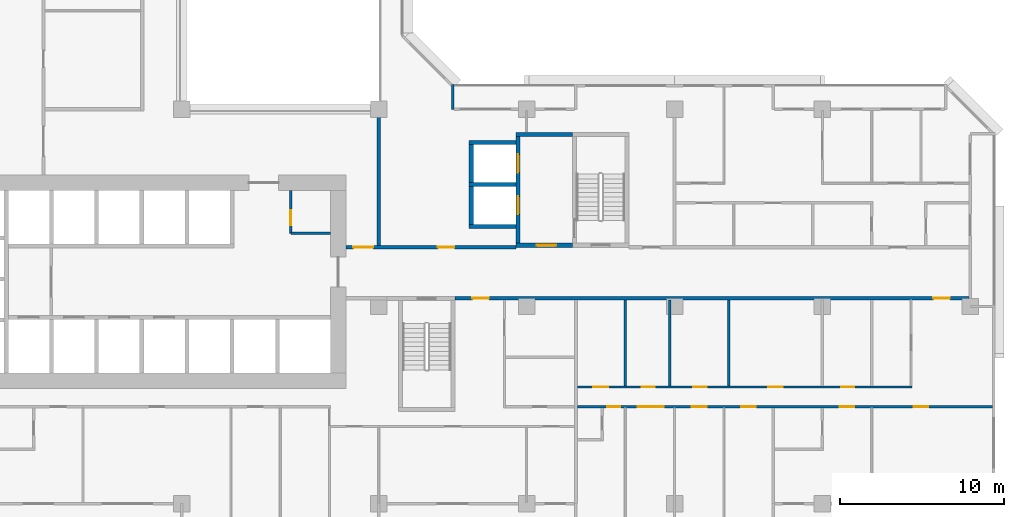
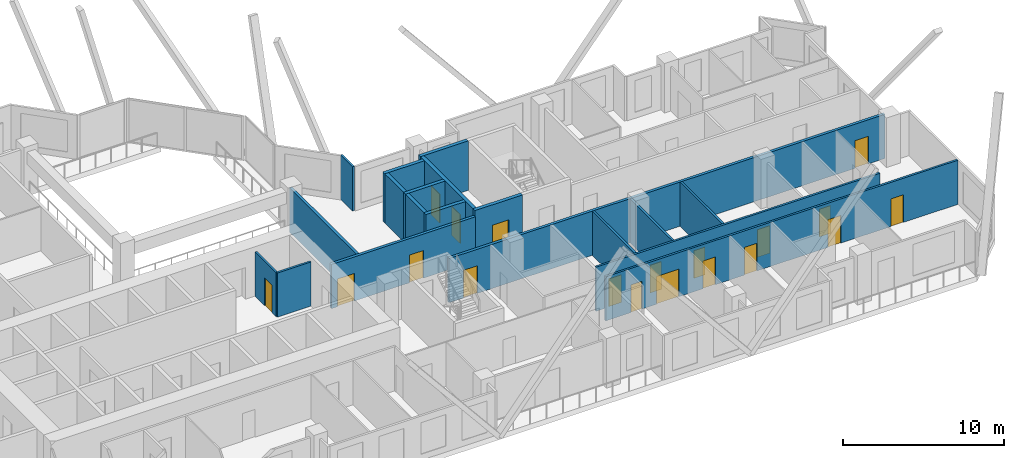
# One storey, part 7 of 15: 19 doors, 19 walls, 19 openings.
"""IFC4 building model written with IfcOpenShell, lengths in metres."""

from ifc_helpers import new_model, si_unit, direction, frame, frame_2d, origin, place, context, subcontext, project, spatial, rectangle, extrude, material, layer, layer_set, type_object, element, fill, save


model = new_model("IFC4")

# Units and contexts
model_context = context("Model", 3, precision=1e-05, world=origin(), true_north=direction((0.0, 1.0)))
body_context = subcontext(model_context, "Body", "Model", "MODEL_VIEW")
ifc_project = project(units=[si_unit("LENGTHUNIT", "METRE"), si_unit("AREAUNIT", "SQUARE_METRE"), si_unit("VOLUMEUNIT", "CUBIC_METRE"), si_unit("PLANEANGLEUNIT", "RADIAN"), si_unit("MASSUNIT", "GRAM", prefix="KILO")], contexts=[model_context])

# Site, building, storey
site_placement = place(None, origin())
site = spatial("IfcSite", under=ifc_project, at=site_placement, CompositionType="ELEMENT")
building_placement = place(site_placement, origin())
building = spatial("IfcBuilding", under=site, at=building_placement, Name="Chenar Terraces", CompositionType="ELEMENT")
storey_placement = place(building_placement, frame((0.0, 0.0, 129.39990234375)))
storey = spatial("IfcBuildingStorey", under=building, at=storey_placement, Name="L30", CompositionType="ELEMENT", Elevation=129.39990234375)

# Wall, opening, door
ifc_material_1 = material(Name="Gypsum board on steel studs", Category="steel")
ifc_layer_1 = layer(ifc_material_1, 0.14990234375)
ifc_layer_set_1 = layer_set([ifc_layer_1], Name="Gypsum board on steel studs")
wall_type_1 = type_object("IfcWallType", Name="Core partition 150 gypsum board", PredefinedType="PARTITIONING", material=ifc_layer_set_1)
wall_1_placement = place(storey_placement, frame((30.64990234375, 16.449951171875, 0.0), z_axis=(0.0, 0.0, 1.0), x_axis=(0.0, 1.0, 0.0)))
wall_1 = element("IfcWall", 1, at=wall_1_placement, inside=storey, type_object=wall_type_1, Name="Core partition CP1 vestibule room west wall", PredefinedType="PARTITIONING", context=body_context, shape_type="SweptSolid", body=[
    extrude(rectangle(XDim=2.60009765625, YDim=0.14990234375, at=frame_2d((1.300048828125, 0.0))), origin(), (0.0, 0.0, 1.0), 3.35009765625),
])
opening_1_placement = place(wall_1_placement, frame((0.5, 0.0, 0.0)))
opening_1 = element("IfcOpeningElement", 2, at=opening_1_placement, cuts=wall_1, Name="Opening DL30-C13", PredefinedType="OPENING", context=body_context, shape_type="SweptSolid", body=[
    extrude(rectangle(XDim=0.89990234375, YDim=2.10009765625, at=frame_2d((0.449951171875, 1.050048828125))), frame((0.0, 0.0849609375, 0.0), z_axis=(0.0, -1.0, 0.0), x_axis=(1.0, 0.0, 0.0)), (0.0, 0.0, 1.0), 0.169921875),
])
ifc_material_2 = material(Name="Steel-framed fire-resisting door leaf", Category="steel")
door_type_1 = type_object("IfcDoorType", Name="Riser fire door FD60 900 x 2100", OperationType="SINGLE_SWING_LEFT", PredefinedType="DOOR", material=ifc_material_2)
door_1_placement = place(opening_1_placement, frame((0.89990234375, 0.0, 0.0), z_axis=(0.0, 0.0, 1.0), x_axis=(-1.0, 0.0, 0.0)))
door_1 = element("IfcDoor", 3, at=door_1_placement, inside=storey, type_object=door_type_1, Name="Core room door DL30-C13", OperationType="SINGLE_SWING_RIGHT", OverallHeight=2.10009765625, OverallWidth=0.89990234375, PredefinedType="DOOR", context=body_context, shape_type="SweptSolid", body=[
    extrude(rectangle(XDim=0.89990234375, YDim=2.10009765625, at=frame_2d((0.449951171875, 1.050048828125))), frame((0.0, 0.02490234375, 0.0), z_axis=(0.0, -1.0, 0.0), x_axis=(1.0, 0.0, 0.0)), (0.0, 0.0, 1.0), 0.050048828125),
])
fill(opening_1, door_1)

# Wall
wall_2_placement = place(storey_placement, frame((30.64990234375, 16.449951171875, 0.0), z_axis=(0.0, 0.0, 1.0), x_axis=(1.0, 0.0, 0.0)))
element("IfcWall", 4, at=wall_2_placement, inside=storey, type_object=wall_type_1, Name="Core partition CP1 vestibule room south wall", PredefinedType="PARTITIONING", context=body_context, shape_type="SweptSolid", body=[
    extrude(rectangle(XDim=2.400146484375, YDim=0.14990234375, at=frame_2d((1.2001953125, 0.0))), origin(), (0.0, 0.0, 1.0), 3.35009765625),
])

# Wall, opening, door
ifc_material_3 = material(Name="Concrete C70/85", Category="concrete")
ifc_layer_2 = layer(ifc_material_3, 0.25)
ifc_layer_set_2 = layer_set([ifc_layer_2], Name="Concrete C70/85")
wall_type_2 = type_object("IfcWallType", Name="Core wall 250 Concrete C70/85", PredefinedType="SHEAR", material=ifc_layer_set_2)
wall_3_placement = place(storey_placement, frame((44.35009765625, 15.72509765625, 0.0), z_axis=(0.0, 0.0, 1.0), x_axis=(1.0, 0.0, 0.0)))
wall_3 = element("IfcWall", 5, at=wall_3_placement, inside=storey, type_object=wall_type_2, Name="Core wall F3_LS L30", PredefinedType="SHEAR", context=body_context, shape_type="SweptSolid", body=[
    extrude(rectangle(XDim=3.4248046875, YDim=0.25, at=frame_2d((1.71240234375, 0.0))), origin(), (0.0, 0.0, 1.0), 3.75),
])
opening_2_placement = place(wall_3_placement, frame((1.25, 0.0, 0.0)))
opening_2 = element("IfcOpeningElement", 6, at=opening_2_placement, cuts=wall_3, Name="Opening DL30-C10", PredefinedType="OPENING", context=body_context, shape_type="SweptSolid", body=[
    extrude(rectangle(XDim=1.199951171875, YDim=2.199951171875, at=frame_2d((0.60009765625, 1.10009765625))), frame((0.0, 0.135009765625, 0.0), z_axis=(0.0, -1.0, 0.0), x_axis=(1.0, 0.0, 0.0)), (0.0, 0.0, 1.0), 0.27001953125),
])
ifc_material_4 = material(Name="Steel-framed fire-resisting door leaf", Category="steel")
door_type_2 = type_object("IfcDoorType", Name="Lobby fire door FD60 1200 x 2200", OperationType="SINGLE_SWING_LEFT", PredefinedType="DOOR", material=ifc_material_4)
door_2_placement = place(opening_2_placement, origin())
door_2 = element("IfcDoor", 7, at=door_2_placement, inside=storey, type_object=door_type_2, Name="Core door DL30-C10", OperationType="SINGLE_SWING_RIGHT", OverallHeight=2.199951171875, OverallWidth=1.199951171875, PredefinedType="DOOR", context=body_context, shape_type="SweptSolid", body=[
    extrude(rectangle(XDim=1.199951171875, YDim=2.199951171875, at=frame_2d((0.60009765625, 1.10009765625))), frame((0.0, 0.02490234375, 0.0), z_axis=(0.0, -1.0, 0.0), x_axis=(1.0, 0.0, 0.0)), (0.0, 0.0, 1.0), 0.050048828125),
])
fill(opening_2, door_2)

# Wall
wall_4_placement = place(storey_placement, frame((44.35009765625, 22.47509765625, 0.0), z_axis=(0.0, 0.0, 1.0), x_axis=(1.0, 0.0, 0.0)))
element("IfcWall", 8, at=wall_4_placement, inside=storey, type_object=wall_type_2, Name="Core wall F3_LN L30", PredefinedType="SHEAR", context=body_context, shape_type="SweptSolid", body=[
    extrude(rectangle(XDim=3.4248046875, YDim=0.25, at=frame_2d((1.71240234375, 0.0))), origin(), (0.0, 0.0, 1.0), 3.75),
])

# Wall, openings, doors
wall_5_placement = place(storey_placement, frame((44.47509765625, 15.85009765625, 0.0), z_axis=(0.0, 0.0, 1.0), x_axis=(0.0, 1.0, 0.0)))
wall_5 = element("IfcWall", 9, at=wall_5_placement, inside=storey, type_object=wall_type_2, Name="Core wall F3_LW L30", PredefinedType="SHEAR", context=body_context, shape_type="SweptSolid", body=[
    extrude(rectangle(XDim=6.5, YDim=0.25, at=frame_2d((3.25, 0.0))), origin(), (0.0, 0.0, 1.0), 3.75),
])
opening_3_placement = place(wall_5_placement, frame((1.75, 0.0, 0.0)))
opening_3 = element("IfcOpeningElement", 10, at=opening_3_placement, cuts=wall_5, Name="Opening DL30-LD8", PredefinedType="OPENING", context=body_context, shape_type="SweptSolid", body=[
    extrude(rectangle(XDim=1.10009765625, YDim=2.199951171875, at=frame_2d((0.550048828125, 1.10009765625))), frame((0.0, 0.135009765625, 0.0), z_axis=(0.0, -1.0, 0.0), x_axis=(1.0, 0.0, 0.0)), (0.0, 0.0, 1.0), 0.27001953125),
])
opening_4_placement = place(wall_5_placement, frame((4.300048828125, 0.0, 0.0)))
opening_4 = element("IfcOpeningElement", 11, at=opening_4_placement, cuts=wall_5, Name="Opening DL30-LD9", PredefinedType="OPENING", context=body_context, shape_type="SweptSolid", body=[
    extrude(rectangle(XDim=1.10009765625, YDim=2.199951171875, at=frame_2d((0.550048828125, 1.10009765625))), frame((0.0, 0.135009765625, 0.0), z_axis=(0.0, -1.0, 0.0), x_axis=(1.0, 0.0, 0.0)), (0.0, 0.0, 1.0), 0.27001953125),
])
ifc_material_5 = material(Name="Stainless steel", Category="steel")
door_type_3 = type_object("IfcDoorType", Name="Lift landing door 1100 x 2200 sliding", OperationType="DOUBLE_DOOR_SLIDING", PredefinedType="DOOR", material=ifc_material_5)
door_3_placement = place(opening_3_placement, origin())
door_3 = element("IfcDoor", 12, at=door_3_placement, inside=storey, type_object=door_type_3, Name="Landing door F3", OperationType="DOUBLE_DOOR_SLIDING", OverallHeight=2.199951171875, OverallWidth=1.10009765625, PredefinedType="DOOR", context=body_context, shape_type="SweptSolid", body=[
    extrude(rectangle(XDim=1.10009765625, YDim=2.199951171875, at=frame_2d((0.550048828125, 1.10009765625))), frame((0.0, 0.02490234375, 0.0), z_axis=(0.0, -1.0, 0.0), x_axis=(1.0, 0.0, 0.0)), (0.0, 0.0, 1.0), 0.050048828125),
])
fill(opening_3, door_3)
door_4_placement = place(opening_4_placement, origin())
door_4 = element("IfcDoor", 13, at=door_4_placement, inside=storey, type_object=door_type_3, Name="Landing door F4", OperationType="DOUBLE_DOOR_SLIDING", OverallHeight=2.199951171875, OverallWidth=1.10009765625, PredefinedType="DOOR", context=body_context, shape_type="SweptSolid", body=[
    extrude(rectangle(XDim=1.10009765625, YDim=2.199951171875, at=frame_2d((0.550048828125, 1.10009765625))), frame((0.0, 0.02490234375, 0.0), z_axis=(0.0, -1.0, 0.0), x_axis=(1.0, 0.0, 0.0)), (0.0, 0.0, 1.0), 0.050048828125),
])
fill(opening_4, door_4)

# Walls
for number, where, z_axis, x_axis, name in (
    (14, (41.5, 16.875, 0.0), (0.0, 0.0, 1.0), (1.0, 0.0, 0.0), "Core wall F3_SS L30"),
    (15, (41.5, 19.425048828125, 0.0), (0.0, 0.0, 1.0), (1.0, 0.0, 0.0), "Core wall F3_SM L30"),
    (16, (41.5, 21.97509765625, 0.0), (0.0, 0.0, 1.0), (1.0, 0.0, 0.0), "Core wall F4_SN L30"),
):
    element("IfcWall", number, at=place(storey_placement, frame(where, z_axis=z_axis, x_axis=x_axis)), inside=storey, type_object=wall_type_2, Name=name, PredefinedType="SHEAR", context=body_context, shape_type="SweptSolid", body=[
        extrude(rectangle(XDim=2.85009765625, YDim=0.25, at=frame_2d((1.425048828125, 0.0))), origin(), (0.0, 0.0, 1.0), 3.75),
    ])
for number, where, z_axis, x_axis, name in (
    (17, (41.625, 17.0, 0.0), (0.0, 0.0, 1.0), (0.0, 1.0, 0.0), "Core wall F3_SW L30"),
    (18, (41.625, 19.550048828125, 0.0), (0.0, 0.0, 1.0), (0.0, 1.0, 0.0), "Core wall F4_SW L30"),
):
    element("IfcWall", number, at=place(storey_placement, frame(where, z_axis=z_axis, x_axis=x_axis)), inside=storey, type_object=wall_type_2, Name=name, PredefinedType="SHEAR", context=body_context, shape_type="SweptSolid", body=[
        extrude(rectangle(XDim=2.300048828125, YDim=0.25, at=frame_2d((1.14990234375, 0.0))), origin(), (0.0, 0.0, 1.0), 3.75),
    ])

# Wall, openings, doors
ifc_material_6 = material(Name="Gypsum board on steel studs with fire boards", Category="steel")
ifc_layer_3 = layer(ifc_material_6, 0.199951171875)
ifc_layer_set_3 = layer_set([ifc_layer_3], Name="Gypsum board on steel studs with fire boards")
wall_type_3 = type_object("IfcWallType", Name="Corridor wall 200", PredefinedType="PARTITIONING", material=ifc_layer_set_3)
wall_6_placement = place(storey_placement, frame((34.0, 15.60009765625, 0.0), z_axis=(0.0, 0.0, 1.0), x_axis=(1.0, 0.0, 0.0)))
wall_6 = element("IfcWall", 19, at=wall_6_placement, inside=storey, type_object=wall_type_3, Name="Partition L30-063", PredefinedType="PARTITIONING", context=body_context, shape_type="SweptSolid", body=[
    extrude(rectangle(XDim=10.35009765625, YDim=0.199951171875, at=frame_2d((5.175048828125, 0.0))), origin(), (0.0, 0.0, 1.0), 3.35009765625),
])
opening_5_placement = place(wall_6_placement, frame((5.60009765625, 0.0, 0.0)))
opening_5 = element("IfcOpeningElement", 20, at=opening_5_placement, cuts=wall_6, Name="Opening DL30-3", PredefinedType="OPENING", context=body_context, shape_type="SweptSolid", body=[
    extrude(rectangle(XDim=1.0, YDim=2.10009765625, at=frame_2d((0.5, 1.050048828125))), frame((0.0, 0.10986328125, 0.0), z_axis=(0.0, -1.0, 0.0), x_axis=(1.0, 0.0, 0.0)), (0.0, 0.0, 1.0), 0.219970703125),
])
opening_6_placement = place(wall_6_placement, frame((0.449951171875, 0.0, 0.0)))
opening_6 = element("IfcOpeningElement", 21, at=opening_6_placement, cuts=wall_6, Name="Opening DL30-50", PredefinedType="OPENING", context=body_context, shape_type="SweptSolid", body=[
    extrude(rectangle(XDim=1.199951171875, YDim=2.10009765625, at=frame_2d((0.60009765625, 1.050048828125))), frame((0.0, 0.10986328125, 0.0), z_axis=(0.0, -1.0, 0.0), x_axis=(1.0, 0.0, 0.0)), (0.0, 0.0, 1.0), 0.219970703125),
])
ifc_material_7 = material(Name="Steel-framed fire-resisting door leaf", Category="steel")
door_type_4 = type_object("IfcDoorType", Name="Fire door FD60 1000 x 2100", OperationType="SINGLE_SWING_LEFT", PredefinedType="DOOR", material=ifc_material_7)
door_5_placement = place(opening_5_placement, origin())
door_5 = element("IfcDoor", 22, at=door_5_placement, inside=storey, type_object=door_type_4, Name="Door DL30-3", OperationType="SINGLE_SWING_RIGHT", OverallHeight=2.10009765625, OverallWidth=1.0, PredefinedType="DOOR", context=body_context, shape_type="SweptSolid", body=[
    extrude(rectangle(XDim=1.0, YDim=2.10009765625, at=frame_2d((0.5, 1.050048828125))), frame((0.0, 0.02490234375, 0.0), z_axis=(0.0, -1.0, 0.0), x_axis=(1.0, 0.0, 0.0)), (0.0, 0.0, 1.0), 0.050048828125),
])
fill(opening_5, door_5)
ifc_material_8 = material(Name="Steel-framed fire-resisting door leaf", Category="steel")
door_type_5 = type_object("IfcDoorType", Name="Fire door FD60 1200 x 2100", OperationType="SINGLE_SWING_LEFT", PredefinedType="DOOR", material=ifc_material_8)
door_6_placement = place(opening_6_placement, origin())
door_6 = element("IfcDoor", 23, at=door_6_placement, inside=storey, type_object=door_type_5, Name="Door DL30-50", OperationType="SINGLE_SWING_RIGHT", OverallHeight=2.10009765625, OverallWidth=1.199951171875, PredefinedType="DOOR", context=body_context, shape_type="SweptSolid", body=[
    extrude(rectangle(XDim=1.199951171875, YDim=2.10009765625, at=frame_2d((0.60009765625, 1.050048828125))), frame((0.0, 0.02490234375, 0.0), z_axis=(0.0, -1.0, 0.0), x_axis=(1.0, 0.0, 0.0)), (0.0, 0.0, 1.0), 0.050048828125),
])
fill(opening_6, door_6)

# Wall
wall_7_placement = place(storey_placement, frame((36.0, 15.699951171875, 0.0), z_axis=(0.0, 0.0, 1.0), x_axis=(0.0, 1.0, 0.0)))
element("IfcWall", 24, at=wall_7_placement, inside=storey, type_object=wall_type_3, Name="Partition L30-065", PredefinedType="PARTITIONING", context=body_context, shape_type="SweptSolid", body=[
    extrude(rectangle(XDim=8.300048828125, YDim=0.199951171875, at=frame_2d((4.14990234375, 0.0))), origin(), (0.0, 0.0, 1.0), 3.35009765625),
])

# Wall, openings, doors
wall_8_placement = place(storey_placement, frame((40.64990234375, 12.5, 0.0), z_axis=(0.0, 0.0, 1.0), x_axis=(1.0, 0.0, 0.0)))
wall_8 = element("IfcWall", 25, at=wall_8_placement, inside=storey, type_object=wall_type_3, Name="Partition L30-066", PredefinedType="PARTITIONING", context=body_context, shape_type="SweptSolid", body=[
    extrude(rectangle(XDim=31.276123046875, YDim=0.199951171875, at=frame_2d((15.63818359375, 0.0))), origin(), (0.0, 0.0, 1.0), 3.35009765625),
])
opening_7_placement = place(wall_8_placement, frame((29.10009765625, 0.0, 0.0)))
opening_7 = element("IfcOpeningElement", 26, at=opening_7_placement, cuts=wall_8, Name="Opening DL30-18", PredefinedType="OPENING", context=body_context, shape_type="SweptSolid", body=[
    extrude(rectangle(XDim=1.0, YDim=2.10009765625, at=frame_2d((0.5, 1.050048828125))), frame((0.0, 0.10986328125, 0.0), z_axis=(0.0, -1.0, 0.0), x_axis=(1.0, 0.0, 0.0)), (0.0, 0.0, 1.0), 0.219970703125),
])
opening_8_placement = place(wall_8_placement, frame((1.050048828125, 0.0, 0.0)))
opening_8 = element("IfcOpeningElement", 27, at=opening_8_placement, cuts=wall_8, Name="Opening DL30-64", PredefinedType="OPENING", context=body_context, shape_type="SweptSolid", body=[
    extrude(rectangle(XDim=1.0, YDim=2.10009765625, at=frame_2d((0.5, 1.050048828125))), frame((0.0, 0.10986328125, 0.0), z_axis=(0.0, -1.0, 0.0), x_axis=(1.0, 0.0, 0.0)), (0.0, 0.0, 1.0), 0.219970703125),
])
ifc_material_9 = material(Name="Steel-framed fire-resisting door leaf", Category="steel")
door_type_6 = type_object("IfcDoorType", Name="Fire door FD30S 1000 x 2100", OperationType="SINGLE_SWING_LEFT", PredefinedType="DOOR", material=ifc_material_9)
door_7_placement = place(opening_7_placement, frame((1.0, 0.0, 0.0), z_axis=(0.0, 0.0, 1.0), x_axis=(-1.0, 0.0, 0.0)))
door_7 = element("IfcDoor", 28, at=door_7_placement, inside=storey, type_object=door_type_6, Name="Door DL30-18", OperationType="SINGLE_SWING_LEFT", OverallHeight=2.10009765625, OverallWidth=1.0, PredefinedType="DOOR", context=body_context, shape_type="SweptSolid", body=[
    extrude(rectangle(XDim=1.0, YDim=2.10009765625, at=frame_2d((0.5, 1.050048828125))), frame((0.0, 0.02490234375, 0.0), z_axis=(0.0, -1.0, 0.0), x_axis=(1.0, 0.0, 0.0)), (0.0, 0.0, 1.0), 0.050048828125),
])
fill(opening_7, door_7)
door_8_placement = place(opening_8_placement, origin())
door_8 = element("IfcDoor", 29, at=door_8_placement, inside=storey, type_object=door_type_6, Name="Door DL30-64", OperationType="SINGLE_SWING_RIGHT", OverallHeight=2.10009765625, OverallWidth=1.0, PredefinedType="DOOR", context=body_context, shape_type="SweptSolid", body=[
    extrude(rectangle(XDim=1.0, YDim=2.10009765625, at=frame_2d((0.5, 1.050048828125))), frame((0.0, 0.02490234375, 0.0), z_axis=(0.0, -1.0, 0.0), x_axis=(1.0, 0.0, 0.0)), (0.0, 0.0, 1.0), 0.050048828125),
])
fill(opening_8, door_8)

# Wall
ifc_material_10 = material(Name="Terracotta cladding on insulated backing", Category="masonry")
ifc_layer_4 = layer(ifc_material_10, 0.14990234375)
ifc_layer_set_4 = layer_set([ifc_layer_4], Name="Terracotta cladding on insulated backing")
wall_type_4 = type_object("IfcWallType", Name="Loggia return wall 150", PredefinedType="SOLIDWALL", material=ifc_layer_set_4)
wall_9_placement = place(storey_placement, frame((40.5, 25.5, 0.0), z_axis=(0.0, 0.0, 1.0), x_axis=(0.0, -1.0, 0.0)))
element("IfcWall", 30, at=wall_9_placement, inside=storey, type_object=wall_type_4, Name="Loggia return wall", PredefinedType="SOLIDWALL", context=body_context, shape_type="SweptSolid", body=[
    extrude(rectangle(XDim=1.5, YDim=0.14990234375, at=frame_2d((0.75, 0.0))), origin(), (0.0, 0.0, 1.0), 3.35009765625),
])

# Wall, openings, doors
ifc_material_11 = material(Name="Moisture-resistant gypsum board on steel studs", Category="steel")
ifc_layer_5 = layer(ifc_material_11, 0.14990234375)
ifc_layer_set_5 = layer_set([ifc_layer_5], Name="Moisture-resistant gypsum board on steel studs")
wall_type_5 = type_object("IfcWallType", Name="Wet-room partition 150", PredefinedType="PARTITIONING", material=ifc_layer_set_5)
wall_10_placement = place(storey_placement, frame((48.10009765625, 5.89990234375, 0.0), z_axis=(0.0, 0.0, 1.0), x_axis=(1.0, 0.0, 0.0)))
wall_10 = element("IfcWall", 31, at=wall_10_placement, inside=storey, type_object=wall_type_5, Name="Partition L30-074", PredefinedType="PARTITIONING", context=body_context, shape_type="SweptSolid", body=[
    extrude(rectangle(XDim=25.25, YDim=0.14990234375, at=frame_2d((12.625, 0.0))), origin(), (0.0, 0.0, 1.0), 3.35009765625),
])
opening_9_placement = place(wall_10_placement, frame((6.949951171875, 0.0, 0.0)))
opening_9 = element("IfcOpeningElement", 32, at=opening_9_placement, cuts=wall_10, Name="Opening DL30-14", PredefinedType="OPENING", context=body_context, shape_type="SweptSolid", body=[
    extrude(rectangle(XDim=0.89990234375, YDim=2.10009765625, at=frame_2d((0.449951171875, 1.050048828125))), frame((0.0, 0.0849609375, 0.0), z_axis=(0.0, -1.0, 0.0), x_axis=(1.0, 0.0, 0.0)), (0.0, 0.0, 1.0), 0.169921875),
])
opening_10_placement = place(wall_10_placement, frame((9.949951171875, 0.0, 0.0)))
opening_10 = element("IfcOpeningElement", 33, at=opening_10_placement, cuts=wall_10, Name="Opening DL30-15", PredefinedType="OPENING", context=body_context, shape_type="SweptSolid", body=[
    extrude(rectangle(XDim=0.89990234375, YDim=2.10009765625, at=frame_2d((0.449951171875, 1.050048828125))), frame((0.0, 0.0849609375, 0.0), z_axis=(0.0, -1.0, 0.0), x_axis=(1.0, 0.0, 0.0)), (0.0, 0.0, 1.0), 0.169921875),
])
opening_11_placement = place(wall_10_placement, frame((15.949951171875, 0.0, 0.0)))
opening_11 = element("IfcOpeningElement", 34, at=opening_11_placement, cuts=wall_10, Name="Opening DL30-16", PredefinedType="OPENING", context=body_context, shape_type="SweptSolid", body=[
    extrude(rectangle(XDim=0.89990234375, YDim=2.10009765625, at=frame_2d((0.449951171875, 1.050048828125))), frame((0.0, 0.0849609375, 0.0), z_axis=(0.0, -1.0, 0.0), x_axis=(1.0, 0.0, 0.0)), (0.0, 0.0, 1.0), 0.169921875),
])
opening_12_placement = place(wall_10_placement, frame((20.449951171875, 0.0, 0.0)))
opening_12 = element("IfcOpeningElement", 35, at=opening_12_placement, cuts=wall_10, Name="Opening DL30-21", PredefinedType="OPENING", context=body_context, shape_type="SweptSolid", body=[
    extrude(rectangle(XDim=0.89990234375, YDim=2.10009765625, at=frame_2d((0.449951171875, 1.050048828125))), frame((0.0, 0.0849609375, 0.0), z_axis=(0.0, -1.0, 0.0), x_axis=(1.0, 0.0, 0.0)), (0.0, 0.0, 1.0), 0.169921875),
])
opening_13_placement = place(wall_10_placement, frame((1.800048828125, 0.0, 0.0)))
opening_13 = element("IfcOpeningElement", 36, at=opening_13_placement, cuts=wall_10, Name="Opening DL30-22", PredefinedType="OPENING", context=body_context, shape_type="SweptSolid", body=[
    extrude(rectangle(XDim=0.800048828125, YDim=2.10009765625, at=frame_2d((0.39990234375, 1.050048828125))), frame((0.0, 0.0849609375, 0.0), z_axis=(0.0, -1.0, 0.0), x_axis=(1.0, 0.0, 0.0)), (0.0, 0.0, 1.0), 0.169921875),
])
opening_14_placement = place(wall_10_placement, frame((3.64990234375, 0.0, 0.0)))
opening_14 = element("IfcOpeningElement", 37, at=opening_14_placement, cuts=wall_10, Name="Opening DL30-24", PredefinedType="OPENING", context=body_context, shape_type="SweptSolid", body=[
    extrude(rectangle(XDim=1.60009765625, YDim=2.10009765625, at=frame_2d((0.800048828125, 1.050048828125))), frame((0.0, 0.0849609375, 0.0), z_axis=(0.0, -1.0, 0.0), x_axis=(1.0, 0.0, 0.0)), (0.0, 0.0, 1.0), 0.169921875),
])
ifc_material_12 = material(Name="Veneered timber door leaf", Category="wood")
door_type_7 = type_object("IfcDoorType", Name="Door 800 x 2100", OperationType="SINGLE_SWING_LEFT", PredefinedType="DOOR", material=ifc_material_12)
door_9_placement = place(opening_13_placement, frame((0.800048828125, 0.0, 0.0), z_axis=(0.0, 0.0, 1.0), x_axis=(-1.0, 0.0, 0.0)))
door_9 = element("IfcDoor", 38, at=door_9_placement, inside=storey, type_object=door_type_7, Name="Door DL30-22", OperationType="SINGLE_SWING_LEFT", OverallHeight=2.10009765625, OverallWidth=0.800048828125, PredefinedType="DOOR", context=body_context, shape_type="SweptSolid", body=[
    extrude(rectangle(XDim=0.800048828125, YDim=2.10009765625, at=frame_2d((0.39990234375, 1.050048828125))), frame((0.0, 0.02490234375, 0.0), z_axis=(0.0, -1.0, 0.0), x_axis=(1.0, 0.0, 0.0)), (0.0, 0.0, 1.0), 0.050048828125),
])
fill(opening_13, door_9)
ifc_material_13 = material(Name="Veneered timber door leaf", Category="wood")
door_type_8 = type_object("IfcDoorType", Name="Door 900 x 2100", OperationType="SINGLE_SWING_LEFT", PredefinedType="DOOR", material=ifc_material_13)
door_10_placement = place(opening_9_placement, frame((0.89990234375, 0.0, 0.0), z_axis=(0.0, 0.0, 1.0), x_axis=(-1.0, 0.0, 0.0)))
door_10 = element("IfcDoor", 39, at=door_10_placement, inside=storey, type_object=door_type_8, Name="Door DL30-14", OperationType="SINGLE_SWING_LEFT", OverallHeight=2.10009765625, OverallWidth=0.89990234375, PredefinedType="DOOR", context=body_context, shape_type="SweptSolid", body=[
    extrude(rectangle(XDim=0.89990234375, YDim=2.10009765625, at=frame_2d((0.449951171875, 1.050048828125))), frame((0.0, 0.02490234375, 0.0), z_axis=(0.0, -1.0, 0.0), x_axis=(1.0, 0.0, 0.0)), (0.0, 0.0, 1.0), 0.050048828125),
])
fill(opening_9, door_10)
door_11_placement = place(opening_10_placement, frame((0.89990234375, 0.0, 0.0), z_axis=(0.0, 0.0, 1.0), x_axis=(-1.0, 0.0, 0.0)))
door_11 = element("IfcDoor", 40, at=door_11_placement, inside=storey, type_object=door_type_8, Name="Door DL30-15", OperationType="SINGLE_SWING_LEFT", OverallHeight=2.10009765625, OverallWidth=0.89990234375, PredefinedType="DOOR", context=body_context, shape_type="SweptSolid", body=[
    extrude(rectangle(XDim=0.89990234375, YDim=2.10009765625, at=frame_2d((0.449951171875, 1.050048828125))), frame((0.0, 0.02490234375, 0.0), z_axis=(0.0, -1.0, 0.0), x_axis=(1.0, 0.0, 0.0)), (0.0, 0.0, 1.0), 0.050048828125),
])
fill(opening_10, door_11)
door_12_placement = place(opening_11_placement, frame((0.89990234375, 0.0, 0.0), z_axis=(0.0, 0.0, 1.0), x_axis=(-1.0, 0.0, 0.0)))
door_12 = element("IfcDoor", 41, at=door_12_placement, inside=storey, type_object=door_type_8, Name="Door DL30-16", OperationType="SINGLE_SWING_LEFT", OverallHeight=2.10009765625, OverallWidth=0.89990234375, PredefinedType="DOOR", context=body_context, shape_type="SweptSolid", body=[
    extrude(rectangle(XDim=0.89990234375, YDim=2.10009765625, at=frame_2d((0.449951171875, 1.050048828125))), frame((0.0, 0.02490234375, 0.0), z_axis=(0.0, -1.0, 0.0), x_axis=(1.0, 0.0, 0.0)), (0.0, 0.0, 1.0), 0.050048828125),
])
fill(opening_11, door_12)
door_13_placement = place(opening_12_placement, frame((0.89990234375, 0.0, 0.0), z_axis=(0.0, 0.0, 1.0), x_axis=(-1.0, 0.0, 0.0)))
door_13 = element("IfcDoor", 42, at=door_13_placement, inside=storey, type_object=door_type_8, Name="Door DL30-21", OperationType="SINGLE_SWING_LEFT", OverallHeight=2.10009765625, OverallWidth=0.89990234375, PredefinedType="DOOR", context=body_context, shape_type="SweptSolid", body=[
    extrude(rectangle(XDim=0.89990234375, YDim=2.10009765625, at=frame_2d((0.449951171875, 1.050048828125))), frame((0.0, 0.02490234375, 0.0), z_axis=(0.0, -1.0, 0.0), x_axis=(1.0, 0.0, 0.0)), (0.0, 0.0, 1.0), 0.050048828125),
])
fill(opening_12, door_13)
ifc_material_14 = material(Name="Veneered timber door leaf", Category="wood")
door_type_9 = type_object("IfcDoorType", Name="Double door 1600 x 2100", OperationType="DOUBLE_DOOR_SINGLE_SWING", PredefinedType="DOOR", material=ifc_material_14)
door_14_placement = place(opening_14_placement, frame((1.60009765625, 0.0, 0.0), z_axis=(0.0, 0.0, 1.0), x_axis=(-1.0, 0.0, 0.0)))
door_14 = element("IfcDoor", 43, at=door_14_placement, inside=storey, type_object=door_type_9, Name="Door DL30-24", OperationType="DOUBLE_DOOR_SINGLE_SWING", OverallHeight=2.10009765625, OverallWidth=1.60009765625, PredefinedType="DOOR", context=body_context, shape_type="SweptSolid", body=[
    extrude(rectangle(XDim=1.60009765625, YDim=2.10009765625, at=frame_2d((0.800048828125, 1.050048828125))), frame((0.0, 0.02490234375, 0.0), z_axis=(0.0, -1.0, 0.0), x_axis=(1.0, 0.0, 0.0)), (0.0, 0.0, 1.0), 0.050048828125),
])
fill(opening_14, door_14)

wall_11_placement = place(storey_placement, frame((48.10009765625, 7.10009765625, 0.0), z_axis=(0.0, 0.0, 1.0), x_axis=(1.0, 0.0, 0.0)))
wall_11 = element("IfcWall", 44, at=wall_11_placement, inside=storey, type_object=wall_type_5, Name="Partition L30-075", PredefinedType="PARTITIONING", context=body_context, shape_type="SweptSolid", body=[
    extrude(rectangle(XDim=20.349853515625, YDim=0.14990234375, at=frame_2d((10.1748046875, 0.0))), origin(), (0.0, 0.0, 1.0), 3.35009765625),
])
opening_15_placement = place(wall_11_placement, frame((16.050048828125, 0.0, 0.0)))
opening_15 = element("IfcOpeningElement", 45, at=opening_15_placement, cuts=wall_11, Name="Opening DL30-13", PredefinedType="OPENING", context=body_context, shape_type="SweptSolid", body=[
    extrude(rectangle(XDim=0.800048828125, YDim=2.10009765625, at=frame_2d((0.39990234375, 1.050048828125))), frame((0.0, 0.0849609375, 0.0), z_axis=(0.0, -1.0, 0.0), x_axis=(1.0, 0.0, 0.0)), (0.0, 0.0, 1.0), 0.169921875),
])
opening_16_placement = place(wall_11_placement, frame((11.60009765625, 0.0, 0.0)))
opening_16 = element("IfcOpeningElement", 46, at=opening_16_placement, cuts=wall_11, Name="Opening DL30-19", PredefinedType="OPENING", context=body_context, shape_type="SweptSolid", body=[
    extrude(rectangle(XDim=0.89990234375, YDim=2.10009765625, at=frame_2d((0.449951171875, 1.050048828125))), frame((0.0, 0.0849609375, 0.0), z_axis=(0.0, -1.0, 0.0), x_axis=(1.0, 0.0, 0.0)), (0.0, 0.0, 1.0), 0.169921875),
])
opening_17_placement = place(wall_11_placement, frame((3.89990234375, 0.0, 0.0)))
opening_17 = element("IfcOpeningElement", 47, at=opening_17_placement, cuts=wall_11, Name="Opening DL30-20", PredefinedType="OPENING", context=body_context, shape_type="SweptSolid", body=[
    extrude(rectangle(XDim=0.800048828125, YDim=2.10009765625, at=frame_2d((0.39990234375, 1.050048828125))), frame((0.0, 0.0849609375, 0.0), z_axis=(0.0, -1.0, 0.0), x_axis=(1.0, 0.0, 0.0)), (0.0, 0.0, 1.0), 0.169921875),
])
opening_18_placement = place(wall_11_placement, frame((0.949951171875, 0.0, 0.0)))
opening_18 = element("IfcOpeningElement", 48, at=opening_18_placement, cuts=wall_11, Name="Opening DL30-25", PredefinedType="OPENING", context=body_context, shape_type="SweptSolid", body=[
    extrude(rectangle(XDim=0.89990234375, YDim=2.10009765625, at=frame_2d((0.449951171875, 1.050048828125))), frame((0.0, 0.0849609375, 0.0), z_axis=(0.0, -1.0, 0.0), x_axis=(1.0, 0.0, 0.0)), (0.0, 0.0, 1.0), 0.169921875),
])
opening_19_placement = place(wall_11_placement, frame((7.050048828125, 0.0, 0.0)))
opening_19 = element("IfcOpeningElement", 49, at=opening_19_placement, cuts=wall_11, Name="Opening DL30-27", PredefinedType="OPENING", context=body_context, shape_type="SweptSolid", body=[
    extrude(rectangle(XDim=0.800048828125, YDim=2.10009765625, at=frame_2d((0.39990234375, 1.050048828125))), frame((0.0, 0.0849609375, 0.0), z_axis=(0.0, -1.0, 0.0), x_axis=(1.0, 0.0, 0.0)), (0.0, 0.0, 1.0), 0.169921875),
])
door_15_placement = place(opening_15_placement, origin())
door_15 = element("IfcDoor", 50, at=door_15_placement, inside=storey, type_object=door_type_7, Name="Door DL30-13", OperationType="SINGLE_SWING_RIGHT", OverallHeight=2.10009765625, OverallWidth=0.800048828125, PredefinedType="DOOR", context=body_context, shape_type="SweptSolid", body=[
    extrude(rectangle(XDim=0.800048828125, YDim=2.10009765625, at=frame_2d((0.39990234375, 1.050048828125))), frame((0.0, 0.02490234375, 0.0), z_axis=(0.0, -1.0, 0.0), x_axis=(1.0, 0.0, 0.0)), (0.0, 0.0, 1.0), 0.050048828125),
])
fill(opening_15, door_15)
door_16_placement = place(opening_17_placement, origin())
door_16 = element("IfcDoor", 51, at=door_16_placement, inside=storey, type_object=door_type_7, Name="Door DL30-20", OperationType="SINGLE_SWING_RIGHT", OverallHeight=2.10009765625, OverallWidth=0.800048828125, PredefinedType="DOOR", context=body_context, shape_type="SweptSolid", body=[
    extrude(rectangle(XDim=0.800048828125, YDim=2.10009765625, at=frame_2d((0.39990234375, 1.050048828125))), frame((0.0, 0.02490234375, 0.0), z_axis=(0.0, -1.0, 0.0), x_axis=(1.0, 0.0, 0.0)), (0.0, 0.0, 1.0), 0.050048828125),
])
fill(opening_17, door_16)
door_17_placement = place(opening_19_placement, origin())
door_17 = element("IfcDoor", 52, at=door_17_placement, inside=storey, type_object=door_type_7, Name="Door DL30-27", OperationType="SINGLE_SWING_RIGHT", OverallHeight=2.10009765625, OverallWidth=0.800048828125, PredefinedType="DOOR", context=body_context, shape_type="SweptSolid", body=[
    extrude(rectangle(XDim=0.800048828125, YDim=2.10009765625, at=frame_2d((0.39990234375, 1.050048828125))), frame((0.0, 0.02490234375, 0.0), z_axis=(0.0, -1.0, 0.0), x_axis=(1.0, 0.0, 0.0)), (0.0, 0.0, 1.0), 0.050048828125),
])
fill(opening_19, door_17)
door_18_placement = place(opening_16_placement, origin())
door_18 = element("IfcDoor", 53, at=door_18_placement, inside=storey, type_object=door_type_8, Name="Door DL30-19", OperationType="SINGLE_SWING_RIGHT", OverallHeight=2.10009765625, OverallWidth=0.89990234375, PredefinedType="DOOR", context=body_context, shape_type="SweptSolid", body=[
    extrude(rectangle(XDim=0.89990234375, YDim=2.10009765625, at=frame_2d((0.449951171875, 1.050048828125))), frame((0.0, 0.02490234375, 0.0), z_axis=(0.0, -1.0, 0.0), x_axis=(1.0, 0.0, 0.0)), (0.0, 0.0, 1.0), 0.050048828125),
])
fill(opening_16, door_18)
door_19_placement = place(opening_18_placement, origin())
door_19 = element("IfcDoor", 54, at=door_19_placement, inside=storey, type_object=door_type_8, Name="Door DL30-25", OperationType="SINGLE_SWING_RIGHT", OverallHeight=2.10009765625, OverallWidth=0.89990234375, PredefinedType="DOOR", context=body_context, shape_type="SweptSolid", body=[
    extrude(rectangle(XDim=0.89990234375, YDim=2.10009765625, at=frame_2d((0.449951171875, 1.050048828125))), frame((0.0, 0.02490234375, 0.0), z_axis=(0.0, -1.0, 0.0), x_axis=(1.0, 0.0, 0.0)), (0.0, 0.0, 1.0), 0.050048828125),
])
fill(opening_18, door_19)

# Walls
for number, where, z_axis, x_axis, name in (
    (55, (51.0, 7.175048828125, 0.0), (0.0, 0.0, 1.0), (0.0, 1.0, 0.0), "Partition L30-078"),
    (56, (53.699951171875, 7.175048828125, 0.0), (0.0, 0.0, 1.0), (0.0, 1.0, 0.0), "Partition L30-080"),
    (57, (57.300048828125, 7.175048828125, 0.0), (0.0, 0.0, 1.0), (0.0, 1.0, 0.0), "Partition L30-087"),
):
    element("IfcWall", number, at=place(storey_placement, frame(where, z_axis=z_axis, x_axis=x_axis)), inside=storey, type_object=wall_type_5, Name=name, PredefinedType="PARTITIONING", context=body_context, shape_type="SweptSolid", body=[
        extrude(rectangle(XDim=5.224853515625, YDim=0.14990234375, at=frame_2d((2.6123046875, 0.0))), origin(), (0.0, 0.0, 1.0), 3.35009765625),
    ])

save(model, "model.ifc")
